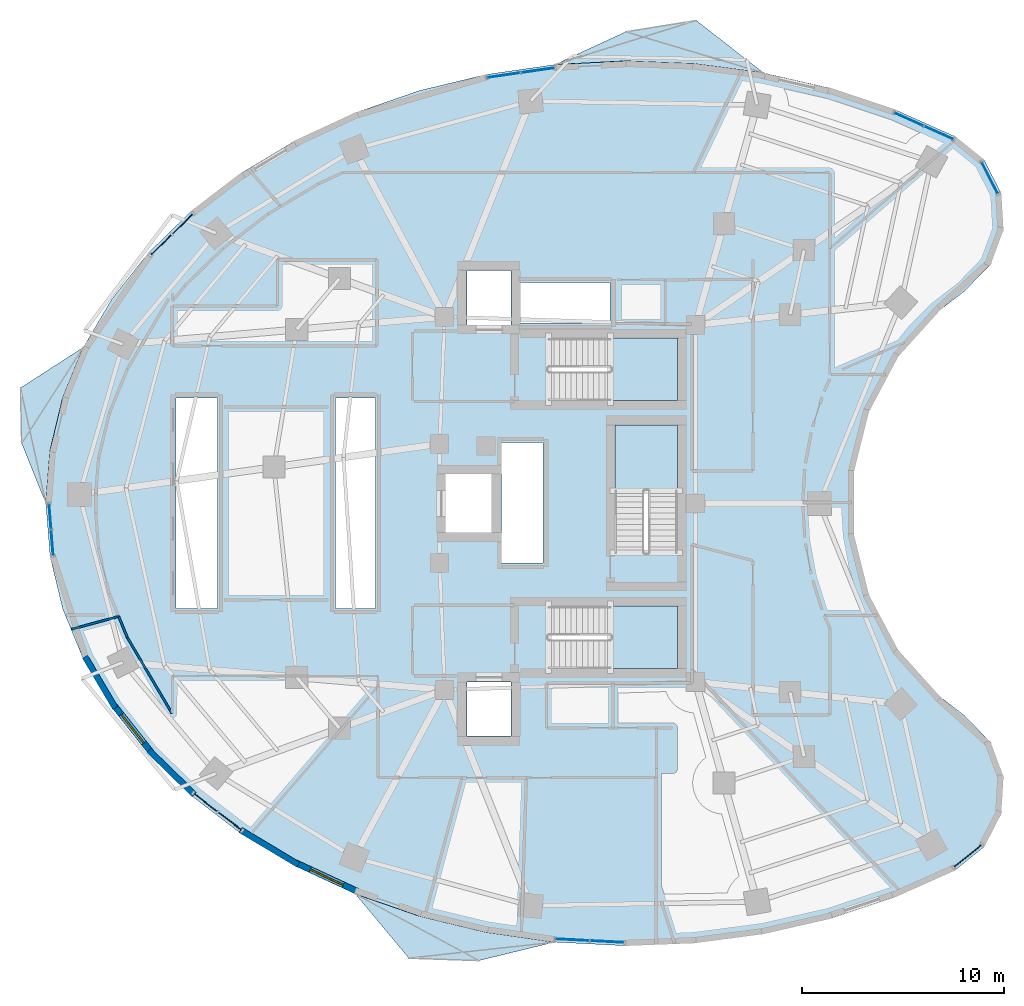
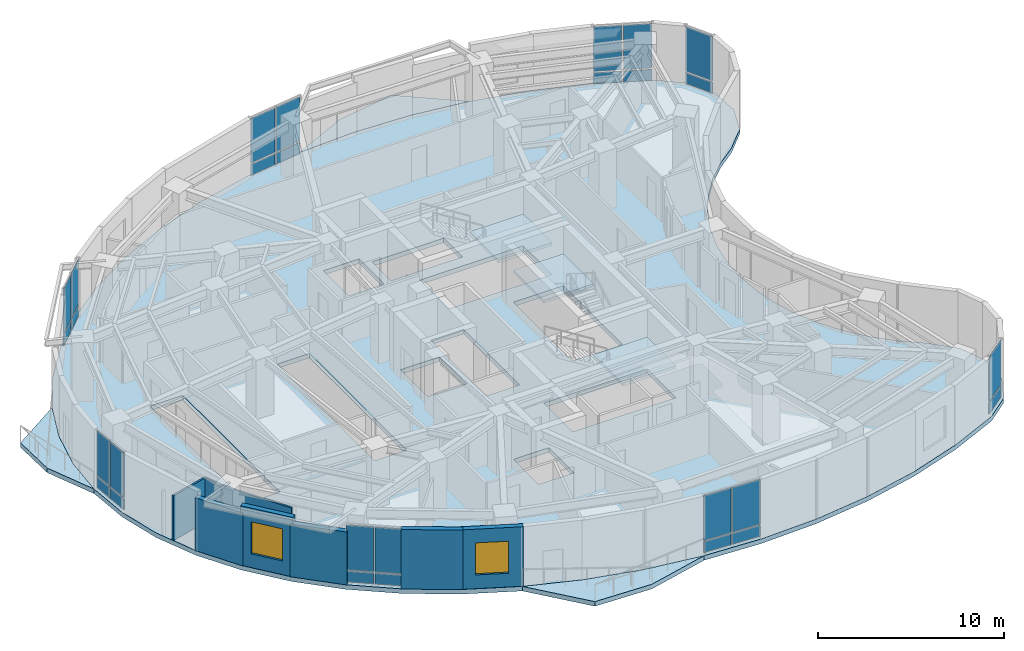
# One storey, part 7 of 15: 28 plates, 8 walls, 7 slabs, 2 windows, 2 openings, 11 elements without a shape of their own.
"""IFC4 building model written with IfcOpenShell, lengths in metres."""

from ifc_helpers import new_model, si_unit, direction, frame, frame_2d, origin, origin_2d, place, context, subcontext, project, spatial, polyline, rectangle, outline, extrude, material, layer, layer_set, type_object, element, fill, aggregate, save


model = new_model("IFC4")

# Units and contexts
model_context = context("Model", 3, precision=1e-05, world=origin(), true_north=direction((0.0, 1.0)))
body_context = subcontext(model_context, "Body", "Model", "MODEL_VIEW")
ifc_project = project(units=[si_unit("LENGTHUNIT", "METRE"), si_unit("AREAUNIT", "SQUARE_METRE"), si_unit("VOLUMEUNIT", "CUBIC_METRE"), si_unit("PLANEANGLEUNIT", "RADIAN"), si_unit("MASSUNIT", "GRAM", prefix="KILO")], contexts=[model_context])

# Site, building, storey
site_placement = place(None, origin())
site = spatial("IfcSite", under=ifc_project, at=site_placement, CompositionType="ELEMENT")
building_placement = place(site_placement, origin())
building = spatial("IfcBuilding", under=site, at=building_placement, Name="Korentha Bioscience Tower", CompositionType="ELEMENT")
storey_placement = place(building_placement, frame((0.0, 0.0, 111.0)))
storey = spatial("IfcBuildingStorey", under=building, at=storey_placement, Name="L25", CompositionType="ELEMENT", Elevation=111.0)

# Curtain wall, plates
ifc_material_1 = material(Name="Thermally Broken Aluminium Frame", Category="aluminium")
ifc_layer_1 = layer(ifc_material_1, 0.219970703125, Name="Thermally Broken Aluminium Frame")
ifc_layer_set_1 = layer_set([ifc_layer_1], Name="Thermally Broken Aluminium Frame (CW-T1)")
curtain_wall_type = type_object("IfcCurtainWallType", Name="Standard Bioscience Lab Unitised Curtain Wall CW-T1", PredefinedType="USERDEFINED", material=ifc_layer_set_1)
curtain_wall_1_placement = place(storey_placement, origin())
curtain_wall_1 = element("IfcCurtainWall", 1, at=curtain_wall_1_placement, inside=storey, type_object=curtain_wall_type, Name="L25 Curtain Wall 01", ObjectType="UNITISED", PredefinedType="USERDEFINED")
ifc_material_2 = material(Name="Triple-Glazed Low-E Insulated Glass", Category="glass")
ifc_layer_2 = layer(ifc_material_2, 0.0439453125, Name="Triple-Glazed Low-E Insulated Glass")
ifc_layer_set_2 = layer_set([ifc_layer_2], Name="Triple-Glazed Low-E Insulated Glass (GL-44)")
plate_type = type_object("IfcPlateType", Name="Glazed Panel 44mm", PredefinedType="CURTAIN_PANEL", material=ifc_layer_set_2)
plate_1_placement = place(storey_placement, frame((49.61767578125, 45.385986328125, 0.08984375), z_axis=(0.0, 0.0, 1.0), x_axis=(-0.912686563127, 0.408660295952, 0.0)))
plate_1 = element("IfcPlate", 2, at=plate_1_placement, type_object=plate_type, Name="CW-L25-01 Bay 1 Glazed Panel 1", PredefinedType="CURTAIN_PANEL", context=body_context, shape_type="SweptSolid", body=[
    extrude(rectangle(XDim=1.54541015625, YDim=0.0439453125, at=origin_2d()), origin(), (0.0, 0.0, 1.0), 0.715087890625),
])
plate_2_placement = place(storey_placement, frame((49.61767578125, 45.385986328125, 0.89501953125), z_axis=(0.0, 0.0, 1.0), x_axis=(-0.912686563127, 0.408660295952, 0.0)))
plate_2 = element("IfcPlate", 3, at=plate_2_placement, type_object=plate_type, Name="CW-L25-01 Bay 1 Glazed Panel 2", PredefinedType="CURTAIN_PANEL", context=body_context, shape_type="SweptSolid", body=[
    extrude(rectangle(XDim=1.54541015625, YDim=0.0439453125, at=origin_2d()), origin(), (0.0, 0.0, 1.0), 2.9150390625),
])
plate_3_placement = place(storey_placement, frame((48.125, 46.05419921875, 0.08984375), z_axis=(0.0, 0.0, 1.0), x_axis=(-0.912686563127, 0.408660295952, 0.0)))
plate_3 = element("IfcPlate", 4, at=plate_3_placement, type_object=plate_type, Name="CW-L25-01 Bay 2 Glazed Panel 1", PredefinedType="CURTAIN_PANEL", context=body_context, shape_type="SweptSolid", body=[
    extrude(rectangle(XDim=1.54541015625, YDim=0.0439453125, at=origin_2d()), origin(), (0.0, 0.0, 1.0), 0.715087890625),
])
plate_4_placement = place(storey_placement, frame((48.125, 46.05419921875, 0.89501953125), z_axis=(0.0, 0.0, 1.0), x_axis=(-0.912686563127, 0.408660295952, 0.0)))
plate_4 = element("IfcPlate", 5, at=plate_4_placement, type_object=plate_type, Name="CW-L25-01 Bay 2 Glazed Panel 2", PredefinedType="CURTAIN_PANEL", context=body_context, shape_type="SweptSolid", body=[
    extrude(rectangle(XDim=1.54541015625, YDim=0.0439453125, at=origin_2d()), origin(), (0.0, 0.0, 1.0), 2.9150390625),
])
aggregate(curtain_wall_1, [plate_1, plate_2, plate_3, plate_4])

curtain_wall_2_placement = place(storey_placement, origin())
curtain_wall_2 = element("IfcCurtainWall", 6, at=curtain_wall_2_placement, inside=storey, type_object=curtain_wall_type, Name="L25 Curtain Wall 07", ObjectType="UNITISED", PredefinedType="USERDEFINED")
plate_5_placement = place(storey_placement, frame((29.724853515625, 48.486328125, 0.08984375), z_axis=(0.0, 0.0, 1.0), x_axis=(-0.989738282326, -0.14289203091, 0.0)))
plate_5 = element("IfcPlate", 7, at=plate_5_placement, type_object=plate_type, Name="CW-L25-07 Bay 1 Glazed Panel 1", PredefinedType="CURTAIN_PANEL", context=body_context, shape_type="SweptSolid", body=[
    extrude(rectangle(XDim=1.630615234375, YDim=0.0439453125, at=origin_2d()), origin(), (0.0, 0.0, 1.0), 0.715087890625),
])
plate_6_placement = place(storey_placement, frame((29.724853515625, 48.486328125, 0.89501953125), z_axis=(0.0, 0.0, 1.0), x_axis=(-0.989738282326, -0.14289203091, 0.0)))
plate_6 = element("IfcPlate", 8, at=plate_6_placement, type_object=plate_type, Name="CW-L25-07 Bay 1 Glazed Panel 2", PredefinedType="CURTAIN_PANEL", context=body_context, shape_type="SweptSolid", body=[
    extrude(rectangle(XDim=1.630615234375, YDim=0.0439453125, at=origin_2d()), origin(), (0.0, 0.0, 1.0), 2.9150390625),
])
plate_7_placement = place(storey_placement, frame((28.021728515625, 48.240478515625, 0.08984375), z_axis=(0.0, 0.0, 1.0), x_axis=(-0.989738282326, -0.14289203091, 0.0)))
plate_7 = element("IfcPlate", 9, at=plate_7_placement, type_object=plate_type, Name="CW-L25-07 Bay 2 Glazed Panel 1", PredefinedType="CURTAIN_PANEL", context=body_context, shape_type="SweptSolid", body=[
    extrude(rectangle(XDim=1.630615234375, YDim=0.0439453125, at=origin_2d()), origin(), (0.0, 0.0, 1.0), 0.715087890625),
])
plate_8_placement = place(storey_placement, frame((28.021728515625, 48.240478515625, 0.89501953125), z_axis=(0.0, 0.0, 1.0), x_axis=(-0.989738282326, -0.14289203091, 0.0)))
plate_8 = element("IfcPlate", 10, at=plate_8_placement, type_object=plate_type, Name="CW-L25-07 Bay 2 Glazed Panel 2", PredefinedType="CURTAIN_PANEL", context=body_context, shape_type="SweptSolid", body=[
    extrude(rectangle(XDim=1.630615234375, YDim=0.0439453125, at=origin_2d()), origin(), (0.0, 0.0, 1.0), 2.9150390625),
])
aggregate(curtain_wall_2, [plate_5, plate_6, plate_7, plate_8])

curtain_wall_3_placement = place(storey_placement, origin())
curtain_wall_3 = element("IfcCurtainWall", 11, at=curtain_wall_3_placement, inside=storey, type_object=curtain_wall_type, Name="L25 Curtain Wall 13", ObjectType="UNITISED", PredefinedType="USERDEFINED")
plate_9_placement = place(storey_placement, frame((12.09912109375, 40.858642578125, 0.08984375), z_axis=(0.0, 0.0, 1.0), x_axis=(-0.716095631804, -0.698002182025, 0.0)))
plate_9 = element("IfcPlate", 12, at=plate_9_placement, type_object=plate_type, Name="CW-L25-13 Bay 1 Glazed Panel 1", PredefinedType="CURTAIN_PANEL", context=body_context, shape_type="SweptSolid", body=[
    extrude(rectangle(XDim=1.39599609375, YDim=0.0439453125, at=origin_2d()), origin(), (0.0, 0.0, 1.0), 0.715087890625),
])
plate_10_placement = place(storey_placement, frame((12.09912109375, 40.858642578125, 0.89501953125), z_axis=(0.0, 0.0, 1.0), x_axis=(-0.716095631804, -0.698002182025, 0.0)))
plate_10 = element("IfcPlate", 13, at=plate_10_placement, type_object=plate_type, Name="CW-L25-13 Bay 1 Glazed Panel 2", PredefinedType="CURTAIN_PANEL", context=body_context, shape_type="SweptSolid", body=[
    extrude(rectangle(XDim=1.39599609375, YDim=0.0439453125, at=origin_2d()), origin(), (0.0, 0.0, 1.0), 2.9150390625),
])
plate_11_placement = place(storey_placement, frame((11.034912109375, 39.8212890625, 0.08984375), z_axis=(0.0, 0.0, 1.0), x_axis=(-0.716095631804, -0.698002182025, 0.0)))
plate_11 = element("IfcPlate", 14, at=plate_11_placement, type_object=plate_type, Name="CW-L25-13 Bay 2 Glazed Panel 1", PredefinedType="CURTAIN_PANEL", context=body_context, shape_type="SweptSolid", body=[
    extrude(rectangle(XDim=1.39599609375, YDim=0.0439453125, at=origin_2d()), origin(), (0.0, 0.0, 1.0), 0.715087890625),
])
plate_12_placement = place(storey_placement, frame((11.034912109375, 39.8212890625, 0.89501953125), z_axis=(0.0, 0.0, 1.0), x_axis=(-0.716095631804, -0.698002182025, 0.0)))
plate_12 = element("IfcPlate", 15, at=plate_12_placement, type_object=plate_type, Name="CW-L25-13 Bay 2 Glazed Panel 2", PredefinedType="CURTAIN_PANEL", context=body_context, shape_type="SweptSolid", body=[
    extrude(rectangle(XDim=1.39599609375, YDim=0.0439453125, at=origin_2d()), origin(), (0.0, 0.0, 1.0), 2.9150390625),
])
aggregate(curtain_wall_3, [plate_9, plate_10, plate_11, plate_12])

curtain_wall_4_placement = place(storey_placement, origin())
curtain_wall_4 = element("IfcCurtainWall", 16, at=curtain_wall_4_placement, inside=storey, type_object=curtain_wall_type, Name="L25 Curtain Wall 19", ObjectType="UNITISED", PredefinedType="USERDEFINED")
plate_13_placement = place(storey_placement, frame((5.52587890625, 26.35205078125, 0.08984375), z_axis=(0.0, 0.0, 1.0), x_axis=(0.079130214674, -0.996864288219, 0.0)))
plate_13 = element("IfcPlate", 17, at=plate_13_placement, type_object=plate_type, Name="CW-L25-19 Bay 1 Glazed Panel 1", PredefinedType="CURTAIN_PANEL", context=body_context, shape_type="SweptSolid", body=[
    extrude(rectangle(XDim=1.225341796875, YDim=0.0439453125, at=origin_2d()), origin(), (0.0, 0.0, 1.0), 0.715087890625),
])
plate_14_placement = place(storey_placement, frame((5.52587890625, 26.35205078125, 0.89501953125), z_axis=(0.0, 0.0, 1.0), x_axis=(0.079130214674, -0.996864288219, 0.0)))
plate_14 = element("IfcPlate", 18, at=plate_14_placement, type_object=plate_type, Name="CW-L25-19 Bay 1 Glazed Panel 2", PredefinedType="CURTAIN_PANEL", context=body_context, shape_type="SweptSolid", body=[
    extrude(rectangle(XDim=1.225341796875, YDim=0.0439453125, at=origin_2d()), origin(), (0.0, 0.0, 1.0), 2.9150390625),
])
plate_15_placement = place(storey_placement, frame((5.6298828125, 25.040771484375, 0.08984375), z_axis=(0.0, 0.0, 1.0), x_axis=(0.079130214674, -0.996864288219, 0.0)))
plate_15 = element("IfcPlate", 19, at=plate_15_placement, type_object=plate_type, Name="CW-L25-19 Bay 2 Glazed Panel 1", PredefinedType="CURTAIN_PANEL", context=body_context, shape_type="SweptSolid", body=[
    extrude(rectangle(XDim=1.225341796875, YDim=0.0439453125, at=origin_2d()), origin(), (0.0, 0.0, 1.0), 0.715087890625),
])
plate_16_placement = place(storey_placement, frame((5.6298828125, 25.040771484375, 0.89501953125), z_axis=(0.0, 0.0, 1.0), x_axis=(0.079130214674, -0.996864288219, 0.0)))
plate_16 = element("IfcPlate", 20, at=plate_16_placement, type_object=plate_type, Name="CW-L25-19 Bay 2 Glazed Panel 2", PredefinedType="CURTAIN_PANEL", context=body_context, shape_type="SweptSolid", body=[
    extrude(rectangle(XDim=1.225341796875, YDim=0.0439453125, at=origin_2d()), origin(), (0.0, 0.0, 1.0), 2.9150390625),
])
aggregate(curtain_wall_4, [plate_13, plate_14, plate_15, plate_16])

curtain_wall_5_placement = place(storey_placement, origin())
curtain_wall_5 = element("IfcCurtainWall", 21, at=curtain_wall_5_placement, inside=storey, type_object=curtain_wall_type, Name="L25 Curtain Wall 25", ObjectType="UNITISED", PredefinedType="USERDEFINED")
plate_17_placement = place(storey_placement, frame((13.234619140625, 12.162353515625, 0.08984375), z_axis=(0.0, 0.0, 1.0), x_axis=(0.794499603893, -0.607264669986, 0.0)))
plate_17 = element("IfcPlate", 22, at=plate_17_placement, type_object=plate_type, Name="CW-L25-25 Bay 1 Glazed Panel 1", PredefinedType="CURTAIN_PANEL", context=body_context, shape_type="SweptSolid", body=[
    extrude(rectangle(XDim=1.4462890625, YDim=0.0439453125, at=origin_2d()), origin(), (0.0, 0.0, 1.0), 0.715087890625),
])
plate_18_placement = place(storey_placement, frame((13.234619140625, 12.162353515625, 0.89501953125), z_axis=(0.0, 0.0, 1.0), x_axis=(0.794499603893, -0.607264669986, 0.0)))
plate_18 = element("IfcPlate", 23, at=plate_18_placement, type_object=plate_type, Name="CW-L25-25 Bay 1 Glazed Panel 2", PredefinedType="CURTAIN_PANEL", context=body_context, shape_type="SweptSolid", body=[
    extrude(rectangle(XDim=1.4462890625, YDim=0.0439453125, at=origin_2d()), origin(), (0.0, 0.0, 1.0), 2.9150390625),
])
plate_19_placement = place(storey_placement, frame((14.455078125, 11.229248046875, 0.08984375), z_axis=(0.0, 0.0, 1.0), x_axis=(0.794499603893, -0.607264669986, 0.0)))
plate_19 = element("IfcPlate", 24, at=plate_19_placement, type_object=plate_type, Name="CW-L25-25 Bay 2 Glazed Panel 1", PredefinedType="CURTAIN_PANEL", context=body_context, shape_type="SweptSolid", body=[
    extrude(rectangle(XDim=1.4462890625, YDim=0.0439453125, at=origin_2d()), origin(), (0.0, 0.0, 1.0), 0.715087890625),
])
plate_20_placement = place(storey_placement, frame((14.455078125, 11.229248046875, 0.89501953125), z_axis=(0.0, 0.0, 1.0), x_axis=(0.794499603893, -0.607264669986, 0.0)))
plate_20 = element("IfcPlate", 25, at=plate_20_placement, type_object=plate_type, Name="CW-L25-25 Bay 2 Glazed Panel 2", PredefinedType="CURTAIN_PANEL", context=body_context, shape_type="SweptSolid", body=[
    extrude(rectangle(XDim=1.4462890625, YDim=0.0439453125, at=origin_2d()), origin(), (0.0, 0.0, 1.0), 2.9150390625),
])
aggregate(curtain_wall_5, [plate_17, plate_18, plate_19, plate_20])

curtain_wall_6_placement = place(storey_placement, origin())
curtain_wall_6 = element("IfcCurtainWall", 26, at=curtain_wall_6_placement, inside=storey, type_object=curtain_wall_type, Name="L25 Curtain Wall 31", ObjectType="UNITISED", PredefinedType="USERDEFINED")
plate_21_placement = place(storey_placement, frame((31.436279296875, 5.346435546875, 0.08984375), z_axis=(0.0, 0.0, 1.0), x_axis=(0.998673231344, -0.051495407527, 0.0)))
plate_21 = element("IfcPlate", 27, at=plate_21_placement, type_object=plate_type, Name="CW-L25-31 Bay 1 Glazed Panel 1", PredefinedType="CURTAIN_PANEL", context=body_context, shape_type="SweptSolid", body=[
    extrude(rectangle(XDim=1.641845703125, YDim=0.0439453125, at=origin_2d()), origin(), (0.0, 0.0, 1.0), 0.715087890625),
])
plate_22_placement = place(storey_placement, frame((31.436279296875, 5.346435546875, 0.89501953125), z_axis=(0.0, 0.0, 1.0), x_axis=(0.998673231344, -0.051495407527, 0.0)))
plate_22 = element("IfcPlate", 28, at=plate_22_placement, type_object=plate_type, Name="CW-L25-31 Bay 1 Glazed Panel 2", PredefinedType="CURTAIN_PANEL", context=body_context, shape_type="SweptSolid", body=[
    extrude(rectangle(XDim=1.641845703125, YDim=0.0439453125, at=origin_2d()), origin(), (0.0, 0.0, 1.0), 2.9150390625),
])
plate_23_placement = place(storey_placement, frame((33.166015625, 5.25732421875, 0.08984375), z_axis=(0.0, 0.0, 1.0), x_axis=(0.998673231344, -0.051495407527, 0.0)))
plate_23 = element("IfcPlate", 29, at=plate_23_placement, type_object=plate_type, Name="CW-L25-31 Bay 2 Glazed Panel 1", PredefinedType="CURTAIN_PANEL", context=body_context, shape_type="SweptSolid", body=[
    extrude(rectangle(XDim=1.641845703125, YDim=0.0439453125, at=origin_2d()), origin(), (0.0, 0.0, 1.0), 0.715087890625),
])
plate_24_placement = place(storey_placement, frame((33.166015625, 5.25732421875, 0.89501953125), z_axis=(0.0, 0.0, 1.0), x_axis=(0.998673231344, -0.051495407527, 0.0)))
plate_24 = element("IfcPlate", 30, at=plate_24_placement, type_object=plate_type, Name="CW-L25-31 Bay 2 Glazed Panel 2", PredefinedType="CURTAIN_PANEL", context=body_context, shape_type="SweptSolid", body=[
    extrude(rectangle(XDim=1.641845703125, YDim=0.0439453125, at=origin_2d()), origin(), (0.0, 0.0, 1.0), 2.9150390625),
])
aggregate(curtain_wall_6, [plate_21, plate_22, plate_23, plate_24])

curtain_wall_7_placement = place(storey_placement, origin())
curtain_wall_7 = element("IfcCurtainWall", 31, at=curtain_wall_7_placement, inside=storey, type_object=curtain_wall_type, Name="L25 Curtain Wall 37", ObjectType="UNITISED", PredefinedType="USERDEFINED")
plate_25_placement = place(storey_placement, frame((51.04736328125, 9.506591796875, 0.08984375), z_axis=(0.0, 0.0, 1.0), x_axis=(0.777315301098, 0.629111216463, 0.0)))
plate_25 = element("IfcPlate", 32, at=plate_25_placement, type_object=plate_type, Name="CW-L25-37 Bay 1 Glazed Panel 1", PredefinedType="CURTAIN_PANEL", context=body_context, shape_type="SweptSolid", body=[
    extrude(rectangle(XDim=1.737548828125, YDim=0.0439453125, at=origin_2d()), origin(), (0.0, 0.0, 1.0), 0.715087890625),
])
plate_26_placement = place(storey_placement, frame((51.04736328125, 9.506591796875, 0.89501953125), z_axis=(0.0, 0.0, 1.0), x_axis=(0.777315301098, 0.629111216463, 0.0)))
plate_26 = element("IfcPlate", 33, at=plate_26_placement, type_object=plate_type, Name="CW-L25-37 Bay 1 Glazed Panel 2", PredefinedType="CURTAIN_PANEL", context=body_context, shape_type="SweptSolid", body=[
    extrude(rectangle(XDim=1.737548828125, YDim=0.0439453125, at=origin_2d()), origin(), (0.0, 0.0, 1.0), 2.9150390625),
])
aggregate(curtain_wall_7, [plate_25, plate_26])

curtain_wall_8_placement = place(storey_placement, origin())
curtain_wall_8 = element("IfcCurtainWall", 34, at=curtain_wall_8_placement, inside=storey, type_object=curtain_wall_type, Name="L25 Curtain Wall 61", ObjectType="UNITISED", PredefinedType="USERDEFINED")
plate_27_placement = place(storey_placement, frame((52.140380859375, 43.149658203125, 0.08984375), z_axis=(0.0, 0.0, 1.0), x_axis=(-0.457613117169, 0.889151412862, 0.0)))
plate_27 = element("IfcPlate", 35, at=plate_27_placement, type_object=plate_type, Name="CW-L25-61 Bay 1 Glazed Panel 1", PredefinedType="CURTAIN_PANEL", context=body_context, shape_type="SweptSolid", body=[
    extrude(rectangle(XDim=1.737548828125, YDim=0.0439453125, at=origin_2d()), origin(), (0.0, 0.0, 1.0), 0.715087890625),
])
plate_28_placement = place(storey_placement, frame((52.140380859375, 43.149658203125, 0.89501953125), z_axis=(0.0, 0.0, 1.0), x_axis=(-0.457613117169, 0.889151412862, 0.0)))
plate_28 = element("IfcPlate", 36, at=plate_28_placement, type_object=plate_type, Name="CW-L25-61 Bay 1 Glazed Panel 2", PredefinedType="CURTAIN_PANEL", context=body_context, shape_type="SweptSolid", body=[
    extrude(rectangle(XDim=1.737548828125, YDim=0.0439453125, at=origin_2d()), origin(), (0.0, 0.0, 1.0), 2.9150390625),
])
aggregate(curtain_wall_8, [plate_27, plate_28])

# Slab
ifc_material_3 = material(Name="Concrete C50", Category="concrete")
ifc_layer_3 = layer(ifc_material_3, 0.300048828125, Name="Concrete C50")
ifc_layer_set_3 = layer_set([ifc_layer_3], Name="Concrete C50 (SL-L300)")
slab_type_1 = type_object("IfcSlabType", Name="Laboratory Vibration-Controlled Slab 300", PredefinedType="FLOOR", material=ifc_layer_set_3)
slab_1_placement = place(storey_placement, frame((0.0, 0.0, -0.300048828125)))
element("IfcSlab", 37, at=slab_1_placement, inside=storey, type_object=slab_type_1, Name="L25 Tower Structural Floor Slab", PredefinedType="FLOOR", context=body_context, shape_type="SweptSolid", body=[
    extrude(outline(polyline([(50.433837890625, 45.19580078125), (47.439697265625, 46.53662109375), (44.2548828125, 47.59521484375), (40.925537109375, 48.3564453125), (37.5, 48.809326171875), (34.027587890625, 48.947265625), (30.558349609375, 48.7685546875), (27.142333984375, 48.275390625), (23.8291015625, 47.474853515625), (20.66650390625, 46.37890625), (17.69970703125, 45.003173828125), (14.972412109375, 43.367431640625), (12.52294921875, 41.495361328125), (10.3876953125, 39.413818359375), (8.5966796875, 37.1533203125), (7.17626953125, 34.74609375), (6.146484375, 32.22705078125), (5.52294921875, 29.632568359375), (5.31396484375, 27.0), (5.52294921875, 24.367431640625), (6.146484375, 21.77294921875), (7.17626953125, 19.25390625), (8.5966796875, 16.8466796875), (10.3876953125, 14.586181640625), (12.52294921875, 12.504638671875), (14.972412109375, 10.632568359375), (17.69970703125, 8.996826171875), (20.66650390625, 7.62109375), (23.8291015625, 6.525146484375), (27.142333984375, 5.724609375), (30.558349609375, 5.2314453125), (34.027587890625, 5.052734375), (37.5, 5.190673828125), (40.925537109375, 5.6435546875), (44.2548828125, 6.40478515625), (47.439697265625, 7.46337890625), (50.433837890625, 8.80419921875), (51.8623046875, 9.960205078125), (52.703125, 11.593994140625), (52.813720703125, 13.42822265625), (52.175537109375, 15.1513671875), (50.896484375, 16.470703125), (49.666259765625, 17.414794921875), (48.560302734375, 18.501708984375), (47.594970703125, 19.715087890625), (46.78466796875, 21.037353515625), (46.1416015625, 22.448486328125), (45.67529296875, 23.927490234375), (45.392578125, 25.4521484375), (45.298095703125, 27.0), (45.392578125, 28.5478515625), (45.67529296875, 30.072509765625), (46.1416015625, 31.551513671875), (46.78466796875, 32.962646484375), (47.594970703125, 34.284912109375), (48.560302734375, 35.498291015625), (49.666259765625, 36.585205078125), (50.896484375, 37.529296875), (52.175537109375, 38.8486328125), (52.813720703125, 40.57177734375), (52.703125, 42.406005859375), (51.8623046875, 44.039794921875), (50.433837890625, 45.19580078125)]), holes=[polyline([(30.25, 32.10009765625), (36.64990234375, 32.10009765625), (36.64990234375, 35.199951171875), (30.25, 35.199951171875), (30.25, 32.10009765625)]), polyline([(30.25, 18.800048828125), (36.64990234375, 18.800048828125), (36.64990234375, 21.89990234375), (30.25, 21.89990234375), (30.25, 18.800048828125)]), polyline([(36.64990234375, 24.550048828125), (36.64990234375, 30.89990234375), (33.550048828125, 30.89990234375), (33.550048828125, 24.550048828125), (36.64990234375, 24.550048828125)]), polyline([(11.780029296875, 21.780029296875), (13.820068359375, 21.780029296875), (13.820068359375, 32.219970703125), (11.780029296875, 32.219970703125), (11.780029296875, 21.780029296875)]), polyline([(19.679931640625, 21.780029296875), (21.669921875, 21.780029296875), (21.669921875, 32.219970703125), (19.679931640625, 32.219970703125), (19.679931640625, 21.780029296875)]), polyline([(27.929931640625, 24.030029296875), (29.969970703125, 24.030029296875), (29.969970703125, 30.02001953125), (27.929931640625, 30.02001953125), (27.929931640625, 24.030029296875)]), polyline([(28.860107421875, 35.93994140625), (33.31005859375, 35.93994140625), (33.31005859375, 37.9599609375), (28.860107421875, 37.9599609375), (28.860107421875, 35.93994140625)]), polyline([(26.199951171875, 15.449951171875), (28.39990234375, 15.449951171875), (28.39990234375, 18.14990234375), (26.199951171875, 18.14990234375), (26.199951171875, 15.449951171875)]), polyline([(26.199951171875, 35.85009765625), (28.39990234375, 35.85009765625), (28.39990234375, 38.550048828125), (26.199951171875, 38.550048828125), (26.199951171875, 35.85009765625)]), polyline([(25.14990234375, 25.550048828125), (27.550048828125, 25.550048828125), (27.550048828125, 28.449951171875), (25.14990234375, 28.449951171875), (25.14990234375, 25.550048828125)])]), origin(), (0.0, 0.0, 1.0), 0.300048828125),
])

# Stair, slab
ifc_material_4 = material(Name="Precast Concrete C50", Category="concrete")
stair_type = type_object("IfcStairType", Name="Core Exit Dog-Leg Stair 1450", PredefinedType="HALF_TURN_STAIR", material=ifc_material_4)
stair_1_placement = place(storey_placement, origin())
stair_1 = element("IfcStair", 38, at=stair_1_placement, inside=storey, type_object=stair_type, Name="L25 Tower North Pressurized Exit Stair ST-1", PredefinedType="HALF_TURN_STAIR")
ifc_layer_4 = layer(ifc_material_3, 0.199951171875, Name="Concrete C50")
ifc_layer_set_4 = layer_set([ifc_layer_4], Name="Concrete C50 (SL-LND)")
slab_type_2 = type_object("IfcSlabType", Name="Landing Slab 200", PredefinedType="LANDING", material=ifc_layer_set_4)
slab_2_placement = place(storey_placement, frame((0.0, 0.0, 1.89990234375)))
slab_2 = element("IfcSlab", 39, at=slab_2_placement, type_object=slab_type_2, Name="ST-1 landing 1", PredefinedType="LANDING", context=body_context, shape_type="SweptSolid", body=[
    extrude(outline(polyline([(33.330078125, 32.10009765625), (36.64990234375, 32.10009765625), (36.64990234375, 35.199951171875), (33.330078125, 35.199951171875), (33.330078125, 32.10009765625)])), origin(), (0.0, 0.0, 1.0), 0.2001953125),
])
aggregate(stair_1, [slab_2])

stair_2_placement = place(storey_placement, origin())
stair_2 = element("IfcStair", 40, at=stair_2_placement, inside=storey, type_object=stair_type, Name="L25 Tower South Pressurized Exit Stair ST-2", PredefinedType="HALF_TURN_STAIR")
slab_3_placement = place(storey_placement, frame((0.0, 0.0, 1.89990234375)))
slab_3 = element("IfcSlab", 41, at=slab_3_placement, type_object=slab_type_2, Name="ST-2 landing 1", PredefinedType="LANDING", context=body_context, shape_type="SweptSolid", body=[
    extrude(outline(polyline([(33.330078125, 18.800048828125), (36.64990234375, 18.800048828125), (36.64990234375, 21.89990234375), (33.330078125, 21.89990234375), (33.330078125, 18.800048828125)])), origin(), (0.0, 0.0, 1.0), 0.2001953125),
])
aggregate(stair_2, [slab_3])

stair_3_placement = place(storey_placement, origin())
stair_3 = element("IfcStair", 42, at=stair_3_placement, inside=storey, type_object=stair_type, Name="L25 Tower Central Pressurized Exit Stair ST-3", PredefinedType="HALF_TURN_STAIR")
slab_4_placement = place(storey_placement, frame((0.0, 0.0, 1.89990234375)))
slab_4 = element("IfcSlab", 43, at=slab_4_placement, type_object=slab_type_2, Name="ST-3 landing 1", PredefinedType="LANDING", context=body_context, shape_type="SweptSolid", body=[
    extrude(outline(polyline([(36.64990234375, 27.6298828125), (36.64990234375, 30.89990234375), (33.550048828125, 30.89990234375), (33.550048828125, 27.6298828125), (36.64990234375, 27.6298828125)])), origin(), (0.0, 0.0, 1.0), 0.2001953125),
])
aggregate(stair_3, [slab_4])

# Slabs
ifc_layer_5 = layer(ifc_material_3, 0.300048828125, Name="Concrete C50")
ifc_layer_set_5 = layer_set([ifc_layer_5], Name="Concrete C50 (BS-240)")
slab_type_3 = type_object("IfcSlabType", Name="Sawtooth Sun-Ledge Balcony Slab 240", PredefinedType="USERDEFINED", material=ifc_layer_set_5)
slab_5_placement = place(storey_placement, frame((0.0, 0.0, -0.300048828125)))
element("IfcSlab", 44, at=slab_5_placement, inside=storey, type_object=slab_type_3, Name="L25 Sun-Ledge Balcony 01", ObjectType="BALCONY", PredefinedType="USERDEFINED", context=body_context, shape_type="SweptSolid", body=[
    extrude(outline(polyline([(30.558349609375, 48.7685546875), (34.027587890625, 48.947265625), (37.5, 48.809326171875), (40.925537109375, 48.3564453125), (37.58544921875, 50.95751953125), (34.085205078125, 50.396240234375), (30.558349609375, 48.7685546875)])), origin(), (0.0, 0.0, 1.0), 0.300048828125),
])
slab_6_placement = place(storey_placement, frame((0.0, 0.0, -0.300048828125)))
element("IfcSlab", 45, at=slab_6_placement, inside=storey, type_object=slab_type_3, Name="L25 Sun-Ledge Balcony 02", ObjectType="BALCONY", PredefinedType="USERDEFINED", context=body_context, shape_type="SweptSolid", body=[
    extrude(outline(polyline([(5.31396484375, 27.0), (5.52294921875, 29.632568359375), (6.146484375, 32.22705078125), (7.17626953125, 34.74609375), (4.05615234375, 32.729736328125), (4.113037109375, 29.971435546875), (5.31396484375, 27.0)])), origin(), (0.0, 0.0, 1.0), 0.300048828125),
])
slab_7_placement = place(storey_placement, frame((0.0, 0.0, -0.300048828125)))
element("IfcSlab", 46, at=slab_7_placement, inside=storey, type_object=slab_type_3, Name="L25 Sun-Ledge Balcony 03", ObjectType="BALCONY", PredefinedType="USERDEFINED", context=body_context, shape_type="SweptSolid", body=[
    extrude(outline(polyline([(30.558349609375, 5.2314453125), (27.142333984375, 5.724609375), (23.8291015625, 6.525146484375), (20.66650390625, 7.62109375), (23.32421875, 4.435302734375), (26.802001953125, 4.315185546875), (30.558349609375, 5.2314453125)])), origin(), (0.0, 0.0, 1.0), 0.300048828125),
])

# Walls
ifc_material_5 = material(Name="Fire-Rated Framed Glass", Category="glass")
ifc_layer_6 = layer(ifc_material_5, 0.110107421875, Name="Fire-Rated Framed Glass")
ifc_layer_set_6 = layer_set([ifc_layer_6], Name="Fire-Rated Framed Glass (IW-G110)")
wall_type_1 = type_object("IfcWallType", Name="Demountable Glazed Office Partition 110", PredefinedType="MOVABLE", material=ifc_layer_set_6)
wall_1_placement = place(storey_placement, frame((6.586181640625, 20.75537109375, 0.0), z_axis=(0.0, 0.0, 1.0), x_axis=(0.965145928014, 0.26171231847, 0.0)))
element("IfcWall", 47, at=wall_1_placement, inside=storey, type_object=wall_type_1, Name="L25 Interior Partition 023", PredefinedType="MOVABLE", context=body_context, shape_type="SweptSolid", body=[
    extrude(rectangle(XDim=2.42626953125, YDim=0.110107421875, at=frame_2d((1.213134765625, 0.0))), origin(), (0.0, 0.0, 1.0), 2.909912109375),
])
wall_2_placement = place(storey_placement, frame((8.927978515625, 21.390380859375, 0.0), z_axis=(0.0, 0.0, 1.0), x_axis=(0.378373768339, -0.925652900083, 0.0)))
element("IfcWall", 48, at=wall_2_placement, inside=storey, type_object=wall_type_1, Name="L25 Interior Partition 024", PredefinedType="MOVABLE", context=body_context, shape_type="SweptSolid", body=[
    extrude(rectangle(XDim=1.137451171875, YDim=0.110107421875, at=frame_2d((0.56884765625, 0.0))), origin(), (0.0, 0.0, 1.0), 2.909912109375),
])
wall_3_placement = place(storey_placement, frame((9.359130859375, 20.336181640625, 0.0), z_axis=(0.0, 0.0, 1.0), x_axis=(0.508164254342, -0.86126017591, 0.0)))
element("IfcWall", 49, at=wall_3_placement, inside=storey, type_object=wall_type_1, Name="L25 Interior Partition 025", PredefinedType="MOVABLE", context=body_context, shape_type="SweptSolid", body=[
    extrude(rectangle(XDim=4.353271484375, YDim=0.110107421875, at=frame_2d((2.1767578125, 0.0))), origin(), (0.0, 0.0, 1.0), 2.909912109375),
])

# Wall, opening, window
ifc_material_6 = material(Name="Honed Limestone Precast Concrete C40", Category="masonry")
ifc_layer_7 = layer(ifc_material_6, 0.300048828125, Name="Honed Limestone Precast Concrete C40")
ifc_layer_set_7 = layer_set([ifc_layer_7], Name="Honed Limestone Precast Concrete C40 (EW-ST300)")
wall_type_2 = type_object("IfcWallType", Name="Honed Limestone Cavity Spandrel Wall 300", PredefinedType="STANDARD", material=ifc_layer_set_7)
wall_4_placement = place(storey_placement, frame((8.684814453125, 16.9931640625, 0.0), z_axis=(0.0, 0.0, 1.0), x_axis=(0.620971431761, -0.783833197139, 0.0)))
wall_4 = element("IfcWall", 50, at=wall_4_placement, inside=storey, type_object=wall_type_2, Name="L25 Honed Limestone Spandrel Wall 23", PredefinedType="STANDARD", context=body_context, shape_type="SweptSolid", body=[
    extrude(rectangle(XDim=3.004150390625, YDim=0.300048828125, at=frame_2d((1.501953125, 0.0))), origin(), (0.0, 0.0, 1.0), 3.89990234375),
])
opening_1_placement = place(wall_4_placement, frame((0.60205078125, 0.0, 0.89990234375)))
opening_1 = element("IfcOpeningElement", 51, at=opening_1_placement, cuts=wall_4, Name="Opening WN-01", PredefinedType="OPENING", context=body_context, shape_type="SweptSolid", body=[
    extrude(rectangle(XDim=1.800048828125, YDim=2.10009765625, at=frame_2d((0.89990234375, 1.050048828125))), frame((0.0, 0.1650390625, 0.0), z_axis=(0.0, -1.0, 0.0), x_axis=(1.0, 0.0, 0.0)), (0.0, 0.0, 1.0), 0.329833984375),
])
ifc_material_7 = material(Name="Thermally Broken Aluminium Triple Glazing", Category="aluminium")
window_type = type_object("IfcWindowType", Name="Triple-Glazed Fixed Bioscience Window 1800x2100", PartitioningType="SINGLE_PANEL", PredefinedType="WINDOW", material=ifc_material_7)
window_1_placement = place(opening_1_placement, origin())
window_1 = element("IfcWindow", 52, at=window_1_placement, inside=storey, type_object=window_type, Name="L25 Facade Window 23", OverallHeight=2.10009765625, OverallWidth=1.800048828125, PartitioningType="SINGLE_PANEL", PredefinedType="WINDOW", context=body_context, shape_type="SweptSolid", body=[
    extrude(rectangle(XDim=1.800048828125, YDim=2.10009765625, at=frame_2d((0.89990234375, 1.050048828125))), frame((0.0, 0.030029296875, 0.0), z_axis=(0.0, -1.0, 0.0), x_axis=(1.0, 0.0, 0.0)), (0.0, 0.0, 1.0), 0.06005859375),
])
fill(opening_1, window_1)

wall_5_placement = place(storey_placement, frame((17.712646484375, 9.167236328125, 0.0), z_axis=(0.0, 0.0, 1.0), x_axis=(0.907218110188, -0.42066055264, 0.0)))
wall_5 = element("IfcWall", 53, at=wall_5_placement, inside=storey, type_object=wall_type_2, Name="L25 Honed Limestone Spandrel Wall 27", PredefinedType="STANDARD", context=body_context, shape_type="SweptSolid", body=[
    extrude(rectangle(XDim=3.389892578125, YDim=0.300048828125, at=frame_2d((1.69482421875, 0.0))), origin(), (0.0, 0.0, 1.0), 3.89990234375),
])
opening_2_placement = place(wall_5_placement, frame((0.794921875, 0.0, 0.89990234375)))
opening_2 = element("IfcOpeningElement", 54, at=opening_2_placement, cuts=wall_5, Name="Opening WN-01", PredefinedType="OPENING", context=body_context, shape_type="SweptSolid", body=[
    extrude(rectangle(XDim=1.800048828125, YDim=2.10009765625, at=frame_2d((0.89990234375, 1.050048828125))), frame((0.0, 0.1650390625, 0.0), z_axis=(0.0, -1.0, 0.0), x_axis=(1.0, 0.0, 0.0)), (0.0, 0.0, 1.0), 0.329833984375),
])
window_2_placement = place(opening_2_placement, origin())
window_2 = element("IfcWindow", 55, at=window_2_placement, inside=storey, type_object=window_type, Name="L25 Facade Window 27", OverallHeight=2.10009765625, OverallWidth=1.800048828125, PartitioningType="SINGLE_PANEL", PredefinedType="WINDOW", context=body_context, shape_type="SweptSolid", body=[
    extrude(rectangle(XDim=1.800048828125, YDim=2.10009765625, at=frame_2d((0.89990234375, 1.050048828125))), frame((0.0, 0.030029296875, 0.0), z_axis=(0.0, -1.0, 0.0), x_axis=(1.0, 0.0, 0.0)), (0.0, 0.0, 1.0), 0.06005859375),
])
fill(opening_2, window_2)

# Walls
wall_6_placement = place(storey_placement, frame((7.256103515625, 19.393798828125, 0.0), z_axis=(0.0, 0.0, 1.0), x_axis=(0.508200342003, -0.861238882302, 0.0)))
element("IfcWall", 56, at=wall_6_placement, inside=storey, type_object=wall_type_2, Name="L25 Limestone Perimeter Closure Wall 22", PredefinedType="STANDARD", context=body_context, shape_type="SweptSolid", body=[
    extrude(rectangle(XDim=2.954833984375, YDim=0.300048828125, at=frame_2d((1.4775390625, 0.0))), origin(), (0.0, 0.0, 1.0), 3.469970703125),
])
wall_7_placement = place(storey_placement, frame((10.427978515625, 14.7421875, 0.0), z_axis=(0.0, 0.0, 1.0), x_axis=(0.716101112291, -0.69799655943, 0.0)))
element("IfcWall", 57, at=wall_7_placement, inside=storey, type_object=wall_type_2, Name="L25 Limestone Perimeter Closure Wall 24", PredefinedType="STANDARD", context=body_context, shape_type="SweptSolid", body=[
    extrude(rectangle(XDim=3.14208984375, YDim=0.300048828125, at=frame_2d((1.571044921875, 0.0))), origin(), (0.0, 0.0, 1.0), 3.469970703125),
])
wall_8_placement = place(storey_placement, frame((14.9755859375, 10.793701171875, 0.0), z_axis=(0.0, 0.0, 1.0), x_axis=(0.857602536704, -0.514313026316, 0.0)))
element("IfcWall", 58, at=wall_8_placement, inside=storey, type_object=wall_type_2, Name="L25 Limestone Perimeter Closure Wall 26", PredefinedType="STANDARD", context=body_context, shape_type="SweptSolid", body=[
    extrude(rectangle(XDim=3.34033203125, YDim=0.300048828125, at=frame_2d((1.670166015625, 0.0))), origin(), (0.0, 0.0, 1.0), 3.89990234375),
])

save(model, "model.ifc")
